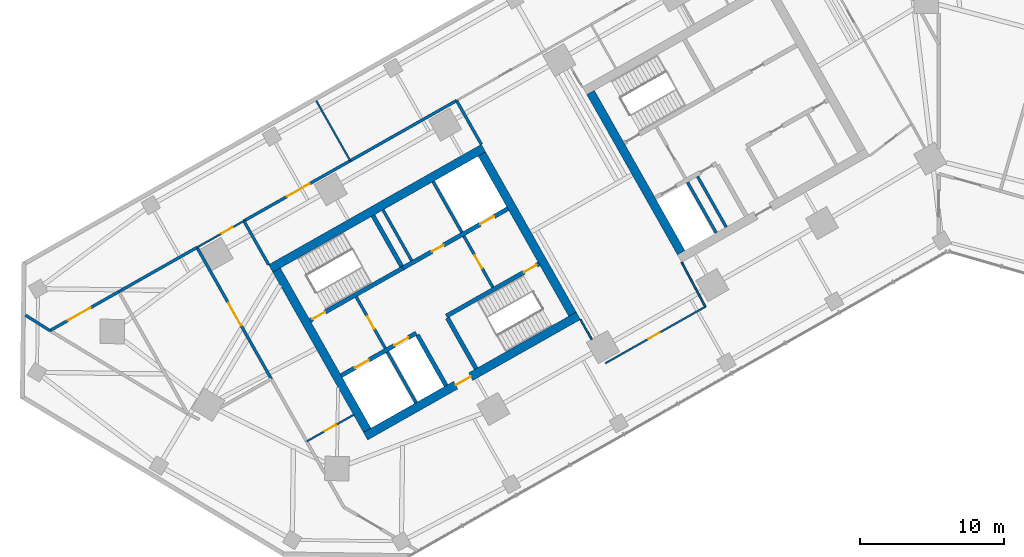
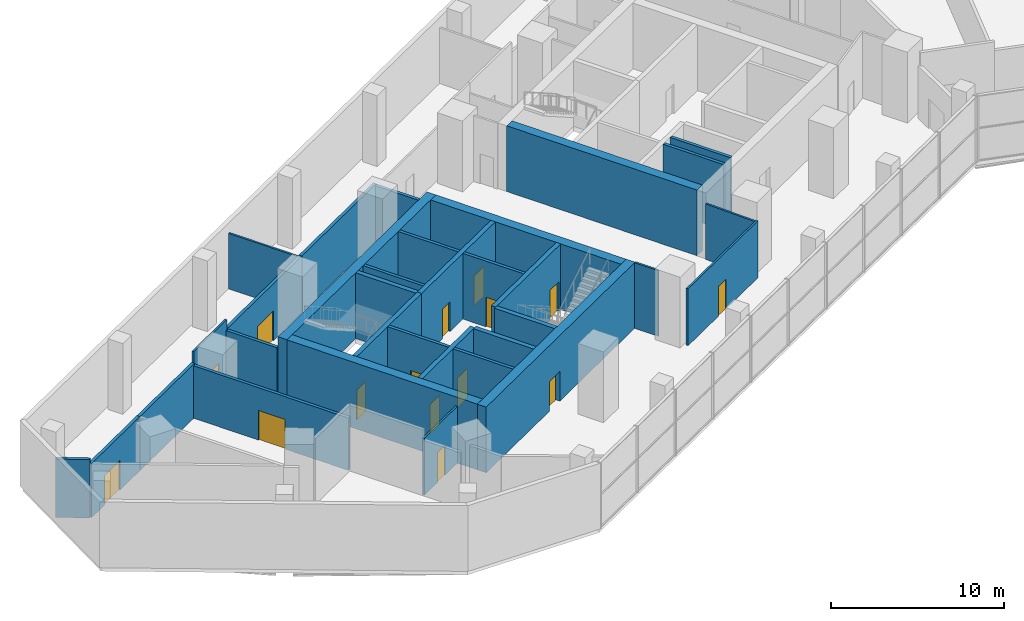
# One storey, part 11 of 18: 33 walls, 15 doors, 15 openings.
"""IFC4 building model written with IfcOpenShell, lengths in metres."""

from ifc_helpers import new_model, si_unit, direction, frame, frame_2d, origin, place, context, subcontext, project, spatial, rectangle, extrude, material, layer, layer_set, type_object, element, fill, save


model = new_model("IFC4")

# Units and contexts
model_context = context("Model", 3, precision=1e-05, world=origin(), true_north=direction((0.0, 1.0)))
body_context = subcontext(model_context, "Body", "Model", "MODEL_VIEW")
ifc_project = project(units=[si_unit("LENGTHUNIT", "METRE"), si_unit("AREAUNIT", "SQUARE_METRE"), si_unit("VOLUMEUNIT", "CUBIC_METRE"), si_unit("PLANEANGLEUNIT", "RADIAN"), si_unit("MASSUNIT", "GRAM", prefix="KILO")], contexts=[model_context])

# Site, building, storey
site_placement = place(None, origin())
site = spatial("IfcSite", under=ifc_project, at=site_placement, CompositionType="ELEMENT")
building_placement = place(site_placement, origin())
building = spatial("IfcBuilding", under=site, at=building_placement, Name="Binnacle Exchange Tower", CompositionType="ELEMENT")
storey_placement = place(building_placement, frame((0.0, 0.0, 6.5)))
storey = spatial("IfcBuildingStorey", under=building, at=storey_placement, Name="L01", CompositionType="ELEMENT", Elevation=6.5)

# Wall, openings, doors
ifc_material_1 = material(Name="Concrete C70/85", Category="concrete")
ifc_layer_1 = layer(ifc_material_1, 0.300048828125)
ifc_layer_set_1 = layer_set([ifc_layer_1], Name="Core wall - front 300")
wall_type_1 = type_object("IfcWallType", Name="Core wall - front 300", PredefinedType="SOLIDWALL", material=ifc_layer_set_1)
wall_1_placement = place(storey_placement, frame((-41.555908203125, 33.9609375, 0.0), z_axis=(0.0, 0.0, 1.0), x_axis=(0.870343731308, 0.492444706919, 0.0)))
wall_1 = element("IfcWall", 1, at=wall_1_placement, inside=storey, type_object=wall_type_1, Name="Core wall CRWA2", PredefinedType="SOLIDWALL", context=body_context, shape_type="SweptSolid", body=[
    extrude(rectangle(XDim=5.999755859375, YDim=0.300048828125, at=frame_2d((3.0, 0.0))), origin(), (0.0, 0.0, 1.0), 4.64990234375),
])
opening_1_placement = place(wall_1_placement, frame((1.099853515625, 0.0, 0.0)))
opening_1 = element("IfcOpeningElement", 2, at=opening_1_placement, cuts=wall_1, Name="Opening LD12", PredefinedType="OPENING", context=body_context, shape_type="SweptSolid", body=[
    extrude(rectangle(XDim=1.10009765625, YDim=2.10009765625, at=frame_2d((0.550048828125, 1.050048828125))), frame((0.0, 0.159912109375, 0.0), z_axis=(0.0, -1.0, 0.0), x_axis=(1.0, 0.0, 0.0)), (0.0, 0.0, 1.0), 0.320068359375),
])
opening_2_placement = place(wall_1_placement, frame((4.25, 0.0, 0.0)))
opening_2 = element("IfcOpeningElement", 3, at=opening_2_placement, cuts=wall_1, Name="Opening LD8", PredefinedType="OPENING", context=body_context, shape_type="SweptSolid", body=[
    extrude(rectangle(XDim=1.10009765625, YDim=2.10009765625, at=frame_2d((0.550048828125, 1.050048828125))), frame((0.0, 0.159912109375, 0.0), z_axis=(0.0, -1.0, 0.0), x_axis=(1.0, 0.0, 0.0)), (0.0, 0.0, 1.0), 0.320068359375),
])
ifc_material_2 = material(Name="Steel door leaf", Category="steel")
door_type_1 = type_object("IfcDoorType", Name="Fire door - lift landing 1100", OperationType="NOTDEFINED", PredefinedType="DOOR", material=ifc_material_2)
door_1_placement = place(opening_1_placement, origin())
door_1 = element("IfcDoor", 4, at=door_1_placement, inside=storey, type_object=door_type_1, Name="Landing door LD12 L01", OperationType="DOUBLE_DOOR_SLIDING", OverallHeight=2.10009765625, OverallWidth=1.10009765625, PredefinedType="DOOR", context=body_context, shape_type="SweptSolid", body=[
    extrude(rectangle(XDim=1.10009765625, YDim=2.10009765625, at=frame_2d((0.550048828125, 1.050048828125))), frame((0.0, 0.02490234375, 0.0), z_axis=(0.0, -1.0, 0.0), x_axis=(1.0, 0.0, 0.0)), (0.0, 0.0, 1.0), 0.050048828125),
])
fill(opening_1, door_1)
door_2_placement = place(opening_2_placement, origin())
door_2 = element("IfcDoor", 5, at=door_2_placement, inside=storey, type_object=door_type_1, Name="Landing door LD8 L01", OperationType="DOUBLE_DOOR_SLIDING", OverallHeight=2.10009765625, OverallWidth=1.10009765625, PredefinedType="DOOR", context=body_context, shape_type="SweptSolid", body=[
    extrude(rectangle(XDim=1.10009765625, YDim=2.10009765625, at=frame_2d((0.550048828125, 1.050048828125))), frame((0.0, 0.02490234375, 0.0), z_axis=(0.0, -1.0, 0.0), x_axis=(1.0, 0.0, 0.0)), (0.0, 0.0, 1.0), 0.050048828125),
])
fill(opening_2, door_2)

wall_2_placement = place(storey_placement, frame((-37.281982421875, 41.4345703125, 0.0), z_axis=(0.0, 0.0, 1.0), x_axis=(0.870356516133, 0.492422110414, 0.0)))
wall_2 = element("IfcWall", 6, at=wall_2_placement, inside=storey, type_object=wall_type_1, Name="Core wall CRWA5", PredefinedType="SOLIDWALL", context=body_context, shape_type="SweptSolid", body=[
    extrude(rectangle(XDim=8.399658203125, YDim=0.300048828125, at=frame_2d((4.19970703125, 0.0))), origin(), (0.0, 0.0, 1.0), 4.64990234375),
])
opening_3_placement = place(wall_2_placement, frame((6.199951171875, 0.0, 0.0)))
opening_3 = element("IfcOpeningElement", 7, at=opening_3_placement, cuts=wall_2, Name="Opening LD13", PredefinedType="OPENING", context=body_context, shape_type="SweptSolid", body=[
    extrude(rectangle(XDim=1.10009765625, YDim=2.10009765625, at=frame_2d((0.550048828125, 1.050048828125))), frame((0.0, 0.159912109375, 0.0), z_axis=(0.0, -1.0, 0.0), x_axis=(1.0, 0.0, 0.0)), (0.0, 0.0, 1.0), 0.320068359375),
])
opening_4_placement = place(wall_2_placement, frame((2.35009765625, 0.0, 0.0)))
opening_4 = element("IfcOpeningElement", 8, at=opening_4_placement, cuts=wall_2, Name="Opening DA10", PredefinedType="OPENING", context=body_context, shape_type="SweptSolid", body=[
    extrude(rectangle(XDim=0.89990234375, YDim=2.10009765625, at=frame_2d((0.449951171875, 1.050048828125))), frame((0.0, 0.159912109375, 0.0), z_axis=(0.0, -1.0, 0.0), x_axis=(1.0, 0.0, 0.0)), (0.0, 0.0, 1.0), 0.320068359375),
])
door_3_placement = place(opening_3_placement, origin())
door_3 = element("IfcDoor", 9, at=door_3_placement, inside=storey, type_object=door_type_1, Name="Landing door LD13 L01", OperationType="DOUBLE_DOOR_SLIDING", OverallHeight=2.10009765625, OverallWidth=1.10009765625, PredefinedType="DOOR", context=body_context, shape_type="SweptSolid", body=[
    extrude(rectangle(XDim=1.10009765625, YDim=2.10009765625, at=frame_2d((0.550048828125, 1.050048828125))), frame((0.0, 0.02490234375, 0.0), z_axis=(0.0, -1.0, 0.0), x_axis=(1.0, 0.0, 0.0)), (0.0, 0.0, 1.0), 0.050048828125),
])
fill(opening_3, door_3)
door_type_2 = type_object("IfcDoorType", Name="Fire door 900", OperationType="NOTDEFINED", PredefinedType="DOOR", material=ifc_material_2)
door_4_placement = place(opening_4_placement, origin())
door_4 = element("IfcDoor", 10, at=door_4_placement, inside=storey, type_object=door_type_2, Name="Core room door TELECOM RISER ROOM", OperationType="SINGLE_SWING_LEFT", OverallHeight=2.10009765625, OverallWidth=0.89990234375, PredefinedType="DOOR", context=body_context, shape_type="SweptSolid", body=[
    extrude(rectangle(XDim=0.89990234375, YDim=2.10009765625, at=frame_2d((0.449951171875, 1.050048828125))), frame((0.0, 0.02490234375, 0.0), z_axis=(0.0, -1.0, 0.0), x_axis=(1.0, 0.0, 0.0)), (0.0, 0.0, 1.0), 0.050048828125),
])
fill(opening_4, door_4)

# Wall
wall_3_placement = place(storey_placement, frame((-36.260009765625, 36.784912109375, 0.0), z_axis=(0.0, 0.0, 1.0), x_axis=(0.492440575896, -0.870346068648, 0.0)))
element("IfcWall", 11, at=wall_3_placement, inside=storey, type_object=wall_type_1, Name="Core wall CRWA13", PredefinedType="SOLIDWALL", context=body_context, shape_type="SweptSolid", body=[
    extrude(rectangle(XDim=4.050048828125, YDim=0.300048828125, at=frame_2d((2.02490234375, 0.0))), origin(), (0.0, 0.0, 1.0), 4.64990234375),
])

# Wall, opening, door
ifc_layer_2 = layer(ifc_material_1, 0.60009765625)
ifc_layer_set_2 = layer_set([ifc_layer_2], Name="Core wall - outer 600")
wall_type_2 = type_object("IfcWallType", Name="Core wall - outer 600", PredefinedType="SOLIDWALL", material=ifc_layer_set_2)
wall_4_placement = place(storey_placement, frame((-39.8623046875, 29.748779296875, 0.0), z_axis=(0.0, 0.0, 1.0), x_axis=(0.870350116061, 0.492433422375, 0.0)))
wall_4 = element("IfcWall", 12, at=wall_4_placement, inside=storey, type_object=wall_type_2, Name="Core wall CRWA1", PredefinedType="SOLIDWALL", context=body_context, shape_type="SweptSolid", body=[
    extrude(rectangle(XDim=17.0, YDim=0.60009765625, at=frame_2d((8.5, 0.0))), origin(), (0.0, 0.0, 1.0), 4.64990234375),
])
opening_5_placement = place(wall_4_placement, frame((7.199951171875, 0.0, 0.0)))
opening_5 = element("IfcOpeningElement", 13, at=opening_5_placement, cuts=wall_4, Name="Opening DA7", PredefinedType="OPENING", context=body_context, shape_type="SweptSolid", body=[
    extrude(rectangle(XDim=1.199951171875, YDim=2.10009765625, at=frame_2d((0.60009765625, 1.050048828125))), frame((0.0, 0.31005859375, 0.0), z_axis=(0.0, -1.0, 0.0), x_axis=(1.0, 0.0, 0.0)), (0.0, 0.0, 1.0), 0.6201171875),
])
door_type_3 = type_object("IfcDoorType", Name="Fire door 1200", OperationType="NOTDEFINED", PredefinedType="DOOR", material=ifc_material_2)
door_5_placement = place(opening_5_placement, frame((1.199951171875, 0.0, 0.0), z_axis=(0.0, 0.0, 1.0), x_axis=(-1.0, 0.0, 0.0)))
door_5 = element("IfcDoor", 14, at=door_5_placement, inside=storey, type_object=door_type_3, Name="Lift lobby entrance door core A", OperationType="SINGLE_SWING_RIGHT", OverallHeight=2.10009765625, OverallWidth=1.199951171875, PredefinedType="DOOR", context=body_context, shape_type="SweptSolid", body=[
    extrude(rectangle(XDim=1.199951171875, YDim=2.10009765625, at=frame_2d((0.60009765625, 1.050048828125))), frame((0.0, 0.02490234375, 0.0), z_axis=(0.0, -1.0, 0.0), x_axis=(1.0, 0.0, 0.0)), (0.0, 0.0, 1.0), 0.050048828125),
])
fill(opening_5, door_5)

# Walls
wall_5_placement = place(storey_placement, frame((-46.460693359375, 41.41162109375, 0.0), z_axis=(0.0, 0.0, 1.0), x_axis=(0.870350116061, 0.492433422375, 0.0)))
element("IfcWall", 15, at=wall_5_placement, inside=storey, type_object=wall_type_2, Name="Core wall CRWA6", PredefinedType="SOLIDWALL", context=body_context, shape_type="SweptSolid", body=[
    extrude(rectangle(XDim=17.0, YDim=0.60009765625, at=frame_2d((8.5, 0.0))), origin(), (0.0, 0.0, 1.0), 4.64990234375),
])
for number, where, z_axis, x_axis, name in (
    (16, (-46.052001953125, 41.29833984375, 0.0), (0.0, 0.0, 1.0), (0.492418598281, -0.870358503186, 0.0), "Core wall CRWA7"),
    (17, (-31.7783203125, 49.3740234375, 0.0), (0.0, 0.0, 1.0), (0.492433046652, -0.870350328641, 0.0), "Core wall CRWA22"),
    (18, (-24.214111328125, 53.653564453125, 0.0), (0.0, 0.0, 1.0), (0.492441221355, -0.870345703448, 0.0), "Core wall CRWC7"),
):
    element("IfcWall", number, at=place(storey_placement, frame(where, z_axis=z_axis, x_axis=x_axis)), inside=storey, type_object=wall_type_2, Name=name, PredefinedType="SOLIDWALL", context=body_context, shape_type="SweptSolid", body=[
        extrude(rectangle(XDim=12.800048828125, YDim=0.60009765625, at=frame_2d((6.39990234375, 0.0))), origin(), (0.0, 0.0, 1.0), 4.64990234375),
    ])

# Wall, opening, door
ifc_layer_3 = layer(ifc_material_1, 0.300048828125)
ifc_layer_set_3 = layer_set([ifc_layer_3], Name="Core wall - stair 300")
wall_type_3 = type_object("IfcWallType", Name="Core wall - stair 300", PredefinedType="SOLIDWALL", material=ifc_layer_set_3)
wall_6_placement = place(storey_placement, frame((-34.2451171875, 38.097412109375, 0.0), z_axis=(0.0, 0.0, 1.0), x_axis=(0.870364910201, 0.492407273597, 0.0)))
wall_6 = element("IfcWall", 19, at=wall_6_placement, inside=storey, type_object=wall_type_3, Name="Core wall CRWA3", PredefinedType="SOLIDWALL", context=body_context, shape_type="SweptSolid", body=[
    extrude(rectangle(XDim=7.39990234375, YDim=0.300048828125, at=frame_2d((3.699951171875, 0.0))), origin(), (0.0, 0.0, 1.0), 4.64990234375),
])
opening_6_placement = place(wall_6_placement, frame((6.199951171875, 0.0, 0.0)))
opening_6 = element("IfcOpeningElement", 20, at=opening_6_placement, cuts=wall_6, Name="Opening DA2", PredefinedType="OPENING", context=body_context, shape_type="SweptSolid", body=[
    extrude(rectangle(XDim=1.0, YDim=2.10009765625, at=frame_2d((0.5, 1.050048828125))), frame((0.0, 0.159912109375, 0.0), z_axis=(0.0, -1.0, 0.0), x_axis=(1.0, 0.0, 0.0)), (0.0, 0.0, 1.0), 0.320068359375),
])
door_type_4 = type_object("IfcDoorType", Name="Fire door 1000", OperationType="NOTDEFINED", PredefinedType="DOOR", material=ifc_material_2)
door_6_placement = place(opening_6_placement, frame((1.0, 0.0, 0.0), z_axis=(0.0, 0.0, 1.0), x_axis=(-1.0, 0.0, 0.0)))
door_6 = element("IfcDoor", 21, at=door_6_placement, inside=storey, type_object=door_type_4, Name="Stair door ST-A2", OperationType="SINGLE_SWING_LEFT", OverallHeight=2.10009765625, OverallWidth=1.0, PredefinedType="DOOR", context=body_context, shape_type="SweptSolid", body=[
    extrude(rectangle(XDim=1.0, YDim=2.10009765625, at=frame_2d((0.5, 1.050048828125))), frame((0.0, 0.02490234375, 0.0), z_axis=(0.0, -1.0, 0.0), x_axis=(1.0, 0.0, 0.0)), (0.0, 0.0, 1.0), 0.050048828125),
])
fill(opening_6, door_6)

wall_7_placement = place(storey_placement, frame((-43.72265625, 37.79052734375, 0.0), z_axis=(0.0, 0.0, 1.0), x_axis=(0.87035077051, 0.49243226567, 0.0)))
wall_7 = element("IfcWall", 22, at=wall_7_placement, inside=storey, type_object=wall_type_3, Name="Core wall CRWA4", PredefinedType="SOLIDWALL", context=body_context, shape_type="SweptSolid", body=[
    extrude(rectangle(XDim=7.400146484375, YDim=0.300048828125, at=frame_2d((3.7001953125, 0.0))), origin(), (0.0, 0.0, 1.0), 4.64990234375),
])
opening_7_placement = place(wall_7_placement, frame((0.199951171875, 0.0, 0.0)))
opening_7 = element("IfcOpeningElement", 23, at=opening_7_placement, cuts=wall_7, Name="Opening DA1", PredefinedType="OPENING", context=body_context, shape_type="SweptSolid", body=[
    extrude(rectangle(XDim=1.0, YDim=2.10009765625, at=frame_2d((0.5, 1.050048828125))), frame((0.0, 0.159912109375, 0.0), z_axis=(0.0, -1.0, 0.0), x_axis=(1.0, 0.0, 0.0)), (0.0, 0.0, 1.0), 0.320068359375),
])
door_7_placement = place(opening_7_placement, origin())
door_7 = element("IfcDoor", 24, at=door_7_placement, inside=storey, type_object=door_type_4, Name="Stair door ST-A1", OperationType="SINGLE_SWING_LEFT", OverallHeight=2.10009765625, OverallWidth=1.0, PredefinedType="DOOR", context=body_context, shape_type="SweptSolid", body=[
    extrude(rectangle(XDim=1.0, YDim=2.10009765625, at=frame_2d((0.5, 1.050048828125))), frame((0.0, 0.02490234375, 0.0), z_axis=(0.0, -1.0, 0.0), x_axis=(1.0, 0.0, 0.0)), (0.0, 0.0, 1.0), 0.050048828125),
])
fill(opening_7, door_7)

# Walls
wall_8_placement = place(storey_placement, frame((-39.350341796875, 45.090087890625, 0.0), z_axis=(0.0, 0.0, 1.0), x_axis=(0.49241474071, -0.870360685654, 0.0)))
element("IfcWall", 25, at=wall_8_placement, inside=storey, type_object=wall_type_3, Name="Core wall CRWA14", PredefinedType="SOLIDWALL", context=body_context, shape_type="SweptSolid", body=[
    extrude(rectangle(XDim=4.05029296875, YDim=0.300048828125, at=frame_2d((2.025146484375, 0.0))), origin(), (0.0, 0.0, 1.0), 4.64990234375),
])
wall_9_placement = place(storey_placement, frame((-34.171142578125, 37.966796875, 0.0), z_axis=(0.0, 0.0, 1.0), x_axis=(0.492394910396, -0.870371904542, 0.0)))
element("IfcWall", 26, at=wall_9_placement, inside=storey, type_object=wall_type_3, Name="Core wall CRWA16", PredefinedType="SOLIDWALL", context=body_context, shape_type="SweptSolid", body=[
    extrude(rectangle(XDim=4.0498046875, YDim=0.300048828125, at=frame_2d((2.02490234375, 0.0))), origin(), (0.0, 0.0, 1.0), 4.64990234375),
])
ifc_material_3 = material(Name="Masonry block wall", Category="masonry")
ifc_layer_4 = layer(ifc_material_3, 0.199951171875)
ifc_layer_set_4 = layer_set([ifc_layer_4], Name="Fire wall - block 200")
wall_type_4 = type_object("IfcWallType", Name="Fire wall - block 200", PredefinedType="PARTITIONING", material=ifc_layer_set_4)
wall_10_placement = place(storey_placement, frame((-63.529052734375, 38.1669921875, 0.0), z_axis=(0.0, 0.0, 1.0), x_axis=(0.844913795328, -0.534902494352, 0.0)))
element("IfcWall", 27, at=wall_10_placement, inside=storey, type_object=wall_type_4, Name="Partition W01", PredefinedType="PARTITIONING", context=body_context, shape_type="SweptSolid", body=[
    extrude(rectangle(XDim=2.019287109375, YDim=0.199951171875, at=frame_2d((1.009765625, 0.0))), origin(), (0.0, 0.0, 1.0), 4.1298828125),
])

# Wall, opening, door
wall_11_placement = place(storey_placement, frame((-61.822998046875, 37.0869140625, 0.0), z_axis=(0.0, 0.0, 1.0), x_axis=(0.870387515286, 0.492367315359, 0.0)))
wall_11 = element("IfcWall", 28, at=wall_11_placement, inside=storey, type_object=wall_type_4, Name="Partition W02", PredefinedType="PARTITIONING", context=body_context, shape_type="SweptSolid", body=[
    extrude(rectangle(XDim=5.5, YDim=0.199951171875, at=frame_2d((2.75, 0.0))), origin(), (0.0, 0.0, 1.0), 3.830078125),
])
opening_8_placement = place(wall_11_placement, frame((1.449951171875, 0.0, 0.0)))
opening_8 = element("IfcOpeningElement", 29, at=opening_8_placement, cuts=wall_11, Name="Opening DL01-07", PredefinedType="OPENING", context=body_context, shape_type="SweptSolid", body=[
    extrude(rectangle(XDim=1.800048828125, YDim=2.10009765625, at=frame_2d((0.89990234375, 1.050048828125))), frame((0.0, 0.10986328125, 0.0), z_axis=(0.0, -1.0, 0.0), x_axis=(1.0, 0.0, 0.0)), (0.0, 0.0, 1.0), 0.219970703125),
])
door_type_5 = type_object("IfcDoorType", Name="Fire door 1800", OperationType="NOTDEFINED", PredefinedType="DOOR", material=ifc_material_2)
door_8_placement = place(opening_8_placement, frame((1.800048828125, 0.0, 0.0), z_axis=(0.0, 0.0, 1.0), x_axis=(-1.0, 0.0, 0.0)))
door_8 = element("IfcDoor", 30, at=door_8_placement, inside=storey, type_object=door_type_5, Name="Door DL01-07", OperationType="DOUBLE_DOOR_SINGLE_SWING", OverallHeight=2.10009765625, OverallWidth=1.800048828125, PredefinedType="DOOR", context=body_context, shape_type="SweptSolid", body=[
    extrude(rectangle(XDim=1.800048828125, YDim=2.10009765625, at=frame_2d((0.89990234375, 1.050048828125))), frame((0.0, 0.02490234375, 0.0), z_axis=(0.0, -1.0, 0.0), x_axis=(1.0, 0.0, 0.0)), (0.0, 0.0, 1.0), 0.050048828125),
])
fill(opening_8, door_8)

# Wall
wall_12_placement = place(storey_placement, frame((-57.035888671875, 39.794921875, 0.0), z_axis=(0.0, 0.0, 1.0), x_axis=(0.870331405276, 0.492466491236, 0.0)))
element("IfcWall", 31, at=wall_12_placement, inside=storey, type_object=wall_type_4, Name="Partition W05", PredefinedType="PARTITIONING", context=body_context, shape_type="SweptSolid", body=[
    extrude(rectangle(XDim=6.25048828125, YDim=0.199951171875, at=frame_2d((3.125244140625, 0.0))), origin(), (0.0, 0.0, 1.0), 3.830078125),
])

# Wall, opening, door
wall_13_placement = place(storey_placement, frame((-51.595947265625, 42.873046875, 0.0), z_axis=(0.0, 0.0, 1.0), x_axis=(0.492438738815, -0.870347108064, 0.0)))
wall_13 = element("IfcWall", 32, at=wall_13_placement, inside=storey, type_object=wall_type_4, Name="Partition W08", PredefinedType="PARTITIONING", context=body_context, shape_type="SweptSolid", body=[
    extrude(rectangle(XDim=10.50048828125, YDim=0.199951171875, at=frame_2d((5.250244140625, 0.0))), origin(), (0.0, 0.0, 1.0), 3.7119140625),
])
opening_9_placement = place(wall_13_placement, frame((4.449951171875, 0.0, 0.0)))
opening_9 = element("IfcOpeningElement", 33, at=opening_9_placement, cuts=wall_13, Name="Opening DL01-08", PredefinedType="OPENING", context=body_context, shape_type="SweptSolid", body=[
    extrude(rectangle(XDim=1.800048828125, YDim=2.10009765625, at=frame_2d((0.89990234375, 1.050048828125))), frame((0.0, 0.10986328125, 0.0), z_axis=(0.0, -1.0, 0.0), x_axis=(1.0, 0.0, 0.0)), (0.0, 0.0, 1.0), 0.219970703125),
])
door_9_placement = place(opening_9_placement, frame((1.800048828125, 0.0, 0.0), z_axis=(0.0, 0.0, 1.0), x_axis=(-1.0, 0.0, 0.0)))
door_9 = element("IfcDoor", 34, at=door_9_placement, inside=storey, type_object=door_type_5, Name="Door DL01-08", OperationType="DOUBLE_DOOR_SINGLE_SWING", OverallHeight=2.10009765625, OverallWidth=1.800048828125, PredefinedType="DOOR", context=body_context, shape_type="SweptSolid", body=[
    extrude(rectangle(XDim=1.800048828125, YDim=2.10009765625, at=frame_2d((0.89990234375, 1.050048828125))), frame((0.0, 0.02490234375, 0.0), z_axis=(0.0, -1.0, 0.0), x_axis=(1.0, 0.0, 0.0)), (0.0, 0.0, 1.0), 0.050048828125),
])
fill(opening_9, door_9)

# Wall
wall_14_placement = place(storey_placement, frame((-48.33203125, 44.718994140625, 0.0), z_axis=(0.0, 0.0, 1.0), x_axis=(0.492392845909, -0.87037307248, 0.0)))
element("IfcWall", 35, at=wall_14_placement, inside=storey, type_object=wall_type_4, Name="Partition W10", PredefinedType="PARTITIONING", context=body_context, shape_type="SweptSolid", body=[
    extrude(rectangle(XDim=3.49951171875, YDim=0.199951171875, at=frame_2d((1.749755859375, 0.0))), origin(), (0.0, 0.0, 1.0), 3.929931640625),
])

# Wall, opening, door
wall_15_placement = place(storey_placement, frame((-48.33203125, 44.718994140625, 0.0), z_axis=(0.0, 0.0, 1.0), x_axis=(0.870331650579, 0.492466057713, 0.0)))
wall_15 = element("IfcWall", 36, at=wall_15_placement, inside=storey, type_object=wall_type_4, Name="Partition W11", PredefinedType="PARTITIONING", context=body_context, shape_type="SweptSolid", body=[
    extrude(rectangle(XDim=8.500244140625, YDim=0.199951171875, at=frame_2d((4.25, 0.0))), origin(), (0.0, 0.0, 1.0), 4.030029296875),
])
opening_10_placement = place(wall_15_placement, frame((3.449951171875, 0.0, 0.0)))
opening_10 = element("IfcOpeningElement", 37, at=opening_10_placement, cuts=wall_15, Name="Opening DL01-12", PredefinedType="OPENING", context=body_context, shape_type="SweptSolid", body=[
    extrude(rectangle(XDim=1.800048828125, YDim=2.10009765625, at=frame_2d((0.89990234375, 1.050048828125))), frame((0.0, 0.10986328125, 0.0), z_axis=(0.0, -1.0, 0.0), x_axis=(1.0, 0.0, 0.0)), (0.0, 0.0, 1.0), 0.219970703125),
])
door_10_placement = place(opening_10_placement, frame((1.800048828125, 0.0, 0.0), z_axis=(0.0, 0.0, 1.0), x_axis=(-1.0, 0.0, 0.0)))
door_10 = element("IfcDoor", 38, at=door_10_placement, inside=storey, type_object=door_type_5, Name="Door DL01-12", OperationType="DOUBLE_DOOR_SINGLE_SWING", OverallHeight=2.10009765625, OverallWidth=1.800048828125, PredefinedType="DOOR", context=body_context, shape_type="SweptSolid", body=[
    extrude(rectangle(XDim=1.800048828125, YDim=2.10009765625, at=frame_2d((0.89990234375, 1.050048828125))), frame((0.0, 0.02490234375, 0.0), z_axis=(0.0, -1.0, 0.0), x_axis=(1.0, 0.0, 0.0)), (0.0, 0.0, 1.0), 0.050048828125),
])
fill(opening_10, door_10)

# Walls
wall_16_placement = place(storey_placement, frame((-40.93408203125, 48.905029296875, 0.0), z_axis=(0.0, 0.0, 1.0), x_axis=(0.870387854278, 0.492366716102, 0.0)))
element("IfcWall", 39, at=wall_16_placement, inside=storey, type_object=wall_type_4, Name="Partition W18", PredefinedType="PARTITIONING", context=body_context, shape_type="SweptSolid", body=[
    extrude(rectangle(XDim=8.5, YDim=0.199951171875, at=frame_2d((4.25, 0.0))), origin(), (0.0, 0.0, 1.0), 4.030029296875),
])
wall_17_placement = place(storey_placement, frame((-33.535888671875, 53.090087890625, 0.0), z_axis=(0.0, 0.0, 1.0), x_axis=(0.492521469645, -0.870300294116, 0.0)))
element("IfcWall", 40, at=wall_17_placement, inside=storey, type_object=wall_type_4, Name="Partition W20", PredefinedType="PARTITIONING", context=body_context, shape_type="SweptSolid", body=[
    extrude(rectangle(XDim=3.5, YDim=0.199951171875, at=frame_2d((1.75, 0.0))), origin(), (0.0, 0.0, 1.0), 3.929931640625),
])

# Wall, opening, door
ifc_layer_5 = layer(ifc_material_3, 0.199951171875)
ifc_layer_set_5 = layer_set([ifc_layer_5], Name="Fire wall - vestibule 200")
wall_type_5 = type_object("IfcWallType", Name="Fire wall - vestibule 200", PredefinedType="PARTITIONING", material=ifc_layer_set_5)
wall_18_placement = place(storey_placement, frame((-40.515625, 39.4326171875, 0.0), z_axis=(0.0, 0.0, 1.0), x_axis=(0.492453559952, -0.87033872216, 0.0)))
wall_18 = element("IfcWall", 41, at=wall_18_placement, inside=storey, type_object=wall_type_5, Name="Core wall CRWA10", PredefinedType="PARTITIONING", context=body_context, shape_type="SweptSolid", body=[
    extrude(rectangle(XDim=4.099853515625, YDim=0.199951171875, at=frame_2d((2.0498046875, 0.0))), origin(), (0.0, 0.0, 1.0), 4.64990234375),
])
opening_11_placement = place(wall_18_placement, frame((1.550048828125, 0.0, 0.0)))
opening_11 = element("IfcOpeningElement", 42, at=opening_11_placement, cuts=wall_18, Name="Opening DA3", PredefinedType="OPENING", context=body_context, shape_type="SweptSolid", body=[
    extrude(rectangle(XDim=1.0, YDim=2.10009765625, at=frame_2d((0.5, 1.050048828125))), frame((0.0, 0.10986328125, 0.0), z_axis=(0.0, -1.0, 0.0), x_axis=(1.0, 0.0, 0.0)), (0.0, 0.0, 1.0), 0.219970703125),
])
door_11_placement = place(opening_11_placement, frame((1.0, 0.0, 0.0), z_axis=(0.0, 0.0, 1.0), x_axis=(-1.0, 0.0, 0.0)))
door_11 = element("IfcDoor", 43, at=door_11_placement, inside=storey, type_object=door_type_4, Name="Vestibule door VEST-W", OperationType="SINGLE_SWING_LEFT", OverallHeight=2.10009765625, OverallWidth=1.0, PredefinedType="DOOR", context=body_context, shape_type="SweptSolid", body=[
    extrude(rectangle(XDim=1.0, YDim=2.10009765625, at=frame_2d((0.5, 1.050048828125))), frame((0.0, 0.02490234375, 0.0), z_axis=(0.0, -1.0, 0.0), x_axis=(1.0, 0.0, 0.0)), (0.0, 0.0, 1.0), 0.050048828125),
])
fill(opening_11, door_11)

wall_19_placement = place(storey_placement, frame((-33.030517578125, 43.66748046875, 0.0), z_axis=(0.0, 0.0, 1.0), x_axis=(0.492408451753, -0.87036424366, 0.0)))
wall_19 = element("IfcWall", 44, at=wall_19_placement, inside=storey, type_object=wall_type_5, Name="Core wall CRWA19", PredefinedType="PARTITIONING", context=body_context, shape_type="SweptSolid", body=[
    extrude(rectangle(XDim=4.099853515625, YDim=0.199951171875, at=frame_2d((2.0498046875, 0.0))), origin(), (0.0, 0.0, 1.0), 4.64990234375),
])
opening_12_placement = place(wall_19_placement, frame((1.550048828125, 0.0, 0.0)))
opening_12 = element("IfcOpeningElement", 45, at=opening_12_placement, cuts=wall_19, Name="Opening DA4", PredefinedType="OPENING", context=body_context, shape_type="SweptSolid", body=[
    extrude(rectangle(XDim=1.0, YDim=2.10009765625, at=frame_2d((0.5, 1.050048828125))), frame((0.0, 0.10986328125, 0.0), z_axis=(0.0, -1.0, 0.0), x_axis=(1.0, 0.0, 0.0)), (0.0, 0.0, 1.0), 0.219970703125),
])
door_12_placement = place(opening_12_placement, origin())
door_12 = element("IfcDoor", 46, at=door_12_placement, inside=storey, type_object=door_type_4, Name="Vestibule door VEST-E", OperationType="SINGLE_SWING_RIGHT", OverallHeight=2.10009765625, OverallWidth=1.0, PredefinedType="DOOR", context=body_context, shape_type="SweptSolid", body=[
    extrude(rectangle(XDim=1.0, YDim=2.10009765625, at=frame_2d((0.5, 1.050048828125))), frame((0.0, 0.02490234375, 0.0), z_axis=(0.0, -1.0, 0.0), x_axis=(1.0, 0.0, 0.0)), (0.0, 0.0, 1.0), 0.050048828125),
])
fill(opening_12, door_12)

ifc_material_4 = material(Name="Gypsum partition")
ifc_layer_6 = layer(ifc_material_4, 0.125)
ifc_layer_set_6 = layer_set([ifc_layer_6], Name="Partition 125")
wall_type_6 = type_object("IfcWallType", Name="Partition 125", PredefinedType="PARTITIONING", material=ifc_layer_set_6)
wall_20_placement = place(storey_placement, frame((-51.595947265625, 42.873046875, 0.0), z_axis=(0.0, 0.0, 1.0), x_axis=(0.87043427122, 0.492284652905, 0.0)))
wall_20 = element("IfcWall", 47, at=wall_20_placement, inside=storey, type_object=wall_type_6, Name="Partition W07", PredefinedType="PARTITIONING", context=body_context, shape_type="SweptSolid", body=[
    extrude(rectangle(XDim=3.749755859375, YDim=0.125, at=frame_2d((1.875, 0.0))), origin(), (0.0, 0.0, 1.0), 4.64990234375),
])
opening_13_placement = place(wall_20_placement, frame((1.949951171875, 0.0, 0.0)))
opening_13 = element("IfcOpeningElement", 48, at=opening_13_placement, cuts=wall_20, Name="Opening DL01-04", PredefinedType="OPENING", context=body_context, shape_type="SweptSolid", body=[
    extrude(rectangle(XDim=0.89990234375, YDim=2.10009765625, at=frame_2d((0.449951171875, 1.050048828125))), frame((0.0, 0.072509765625, 0.0), z_axis=(0.0, -1.0, 0.0), x_axis=(1.0, 0.0, 0.0)), (0.0, 0.0, 1.0), 0.14501953125),
])
ifc_material_5 = material(Name="Timber door leaf", Category="wood")
door_type_6 = type_object("IfcDoorType", Name="Door 900", OperationType="NOTDEFINED", PredefinedType="DOOR", material=ifc_material_5)
door_13_placement = place(opening_13_placement, origin())
door_13 = element("IfcDoor", 49, at=door_13_placement, inside=storey, type_object=door_type_6, Name="Door DL01-04", OperationType="SINGLE_SWING_RIGHT", OverallHeight=2.10009765625, OverallWidth=0.89990234375, PredefinedType="DOOR", context=body_context, shape_type="SweptSolid", body=[
    extrude(rectangle(XDim=0.89990234375, YDim=2.10009765625, at=frame_2d((0.449951171875, 1.050048828125))), frame((0.0, 0.02490234375, 0.0), z_axis=(0.0, -1.0, 0.0), x_axis=(1.0, 0.0, 0.0)), (0.0, 0.0, 1.0), 0.050048828125),
])
fill(opening_13, door_13)

wall_21_placement = place(storey_placement, frame((-43.962890625, 29.382080078125, 0.0), z_axis=(0.0, 0.0, 1.0), x_axis=(0.870259488443, 0.492593567533, 0.0)))
wall_21 = element("IfcWall", 50, at=wall_21_placement, inside=storey, type_object=wall_type_6, Name="Partition W14", PredefinedType="PARTITIONING", context=body_context, shape_type="SweptSolid", body=[
    extrude(rectangle(XDim=3.749267578125, YDim=0.125, at=frame_2d((1.87451171875, 0.0))), origin(), (0.0, 0.0, 1.0), 4.02392578125),
])
opening_14_placement = place(wall_21_placement, frame((1.449951171875, 0.0, 0.0)))
opening_14 = element("IfcOpeningElement", 51, at=opening_14_placement, cuts=wall_21, Name="Opening DL01-01", PredefinedType="OPENING", context=body_context, shape_type="SweptSolid", body=[
    extrude(rectangle(XDim=0.89990234375, YDim=2.10009765625, at=frame_2d((0.449951171875, 1.050048828125))), frame((0.0, 0.072509765625, 0.0), z_axis=(0.0, -1.0, 0.0), x_axis=(1.0, 0.0, 0.0)), (0.0, 0.0, 1.0), 0.14501953125),
])
door_14_placement = place(opening_14_placement, origin())
door_14 = element("IfcDoor", 52, at=door_14_placement, inside=storey, type_object=door_type_6, Name="Door DL01-01", OperationType="SINGLE_SWING_RIGHT", OverallHeight=2.10009765625, OverallWidth=0.89990234375, PredefinedType="DOOR", context=body_context, shape_type="SweptSolid", body=[
    extrude(rectangle(XDim=0.89990234375, YDim=2.10009765625, at=frame_2d((0.449951171875, 1.050048828125))), frame((0.0, 0.02490234375, 0.0), z_axis=(0.0, -1.0, 0.0), x_axis=(1.0, 0.0, 0.0)), (0.0, 0.0, 1.0), 0.050048828125),
])
fill(opening_14, door_14)

# Walls
wall_22_placement = place(storey_placement, frame((-43.294921875, 53.076904296875, 0.0), z_axis=(0.0, 0.0, 1.0), x_axis=(0.492503605136, -0.87031040378, 0.0)))
element("IfcWall", 53, at=wall_22_placement, inside=storey, type_object=wall_type_6, Name="Partition W15", PredefinedType="PARTITIONING", context=body_context, shape_type="SweptSolid", body=[
    extrude(rectangle(XDim=4.79345703125, YDim=0.125, at=frame_2d((2.396728515625, 0.0))), origin(), (0.0, 0.0, 1.0), 3.929931640625),
])
wall_23_placement = place(storey_placement, frame((-24.9189453125, 37.85888671875, 0.0), z_axis=(0.0, 0.0, 1.0), x_axis=(0.492366981934, -0.870387703901, 0.0)))
element("IfcWall", 54, at=wall_23_placement, inside=storey, type_object=wall_type_6, Name="Partition W24", PredefinedType="PARTITIONING", context=body_context, shape_type="SweptSolid", body=[
    extrude(rectangle(XDim=1.584228515625, YDim=0.125, at=frame_2d((0.7919921875, 0.0))), origin(), (0.0, 0.0, 1.0), 4.64990234375),
])

# Wall, opening, door
wall_24_placement = place(storey_placement, frame((-23.195068359375, 34.81298828125, 0.0), z_axis=(0.0, 0.0, 1.0), x_axis=(0.870387155114, 0.492367952057, 0.0)))
wall_24 = element("IfcWall", 55, at=wall_24_placement, inside=storey, type_object=wall_type_6, Name="Partition W27", PredefinedType="PARTITIONING", context=body_context, shape_type="SweptSolid", body=[
    extrude(rectangle(XDim=8.0, YDim=0.125, at=frame_2d((4.0, 0.0))), origin(), (0.0, 0.0, 1.0), 4.030029296875),
])
opening_15_placement = place(wall_24_placement, frame((3.449951171875, 0.0, 0.0)))
opening_15 = element("IfcOpeningElement", 56, at=opening_15_placement, cuts=wall_24, Name="Opening DL01-02", PredefinedType="OPENING", context=body_context, shape_type="SweptSolid", body=[
    extrude(rectangle(XDim=0.89990234375, YDim=2.10009765625, at=frame_2d((0.449951171875, 1.050048828125))), frame((0.0, 0.072509765625, 0.0), z_axis=(0.0, -1.0, 0.0), x_axis=(1.0, 0.0, 0.0)), (0.0, 0.0, 1.0), 0.14501953125),
])
door_15_placement = place(opening_15_placement, origin())
door_15 = element("IfcDoor", 57, at=door_15_placement, inside=storey, type_object=door_type_6, Name="Door DL01-02", OperationType="SINGLE_SWING_LEFT", OverallHeight=2.10009765625, OverallWidth=0.89990234375, PredefinedType="DOOR", context=body_context, shape_type="SweptSolid", body=[
    extrude(rectangle(XDim=0.89990234375, YDim=2.10009765625, at=frame_2d((0.449951171875, 1.050048828125))), frame((0.0, 0.02490234375, 0.0), z_axis=(0.0, -1.0, 0.0), x_axis=(1.0, 0.0, 0.0)), (0.0, 0.0, 1.0), 0.050048828125),
])
fill(opening_15, door_15)

# Walls
wall_25_placement = place(storey_placement, frame((-17.876953125, 41.843017578125, 0.0), z_axis=(0.0, 0.0, 1.0), x_axis=(0.469799130562, -0.882773344026, 0.0)))
element("IfcWall", 58, at=wall_25_placement, inside=storey, type_object=wall_type_6, Name="Partition W31", PredefinedType="PARTITIONING", context=body_context, shape_type="SweptSolid", body=[
    extrude(rectangle(XDim=3.50146484375, YDim=0.125, at=frame_2d((1.750732421875, 0.0))), origin(), (0.0, 0.0, 1.0), 3.929931640625),
])
ifc_layer_7 = layer(ifc_material_3, 0.199951171875)
ifc_layer_set_7 = layer_set([ifc_layer_7], Name="Riser wall 200")
wall_type_7 = type_object("IfcWallType", Name="Riser wall 200", PredefinedType="SOLIDWALL", material=ifc_layer_set_7)
for number, where, z_axis, x_axis, name in (
    (59, (-38.654052734375, 45.48388671875, 0.0), (0.0, 0.0, 1.0), (0.492440575896, -0.870346068648, 0.0), "Core wall CRWA15"),
    (60, (-17.468505859375, 47.416748046875, 0.0), (0.0, 0.0, 1.0), (0.492440575896, -0.870346068648, 0.0), "Core wall CRWC8"),
    (61, (-16.772216796875, 47.810791015625, 0.0), (0.0, 0.0, 1.0), (0.492440575896, -0.870346068648, 0.0), "Core wall CRWC11"),
):
    element("IfcWall", number, at=place(storey_placement, frame(where, z_axis=z_axis, x_axis=x_axis)), inside=storey, type_object=wall_type_7, Name=name, PredefinedType="SOLIDWALL", context=body_context, shape_type="SweptSolid", body=[
        extrude(rectangle(XDim=4.050048828125, YDim=0.199951171875, at=frame_2d((2.02490234375, 0.0))), origin(), (0.0, 0.0, 1.0), 4.64990234375),
    ])
ifc_layer_8 = layer(ifc_material_3, 0.199951171875)
ifc_layer_set_8 = layer_set([ifc_layer_8], Name="Shaft wall 200")
wall_type_8 = type_object("IfcWallType", Name="Shaft wall 200", PredefinedType="SOLIDWALL", material=ifc_layer_set_8)
wall_26_placement = place(storey_placement, frame((-38.348876953125, 35.603271484375, 0.0), z_axis=(0.0, 0.0, 1.0), x_axis=(0.49241474071, -0.870360685654, 0.0)))
element("IfcWall", 62, at=wall_26_placement, inside=storey, type_object=wall_type_8, Name="Core wall CRWA9", PredefinedType="SOLIDWALL", context=body_context, shape_type="SweptSolid", body=[
    extrude(rectangle(XDim=4.05029296875, YDim=0.199951171875, at=frame_2d((2.025146484375, 0.0))), origin(), (0.0, 0.0, 1.0), 4.64990234375),
])
wall_27_placement = place(storey_placement, frame((-35.172607421875, 47.45361328125, 0.0), z_axis=(0.0, 0.0, 1.0), x_axis=(0.492440575896, -0.870346068648, 0.0)))
element("IfcWall", 63, at=wall_27_placement, inside=storey, type_object=wall_type_8, Name="Core wall CRWA21", PredefinedType="SOLIDWALL", context=body_context, shape_type="SweptSolid", body=[
    extrude(rectangle(XDim=4.050048828125, YDim=0.199951171875, at=frame_2d((2.02490234375, 0.0))), origin(), (0.0, 0.0, 1.0), 4.64990234375),
])

save(model, "model.ifc")
